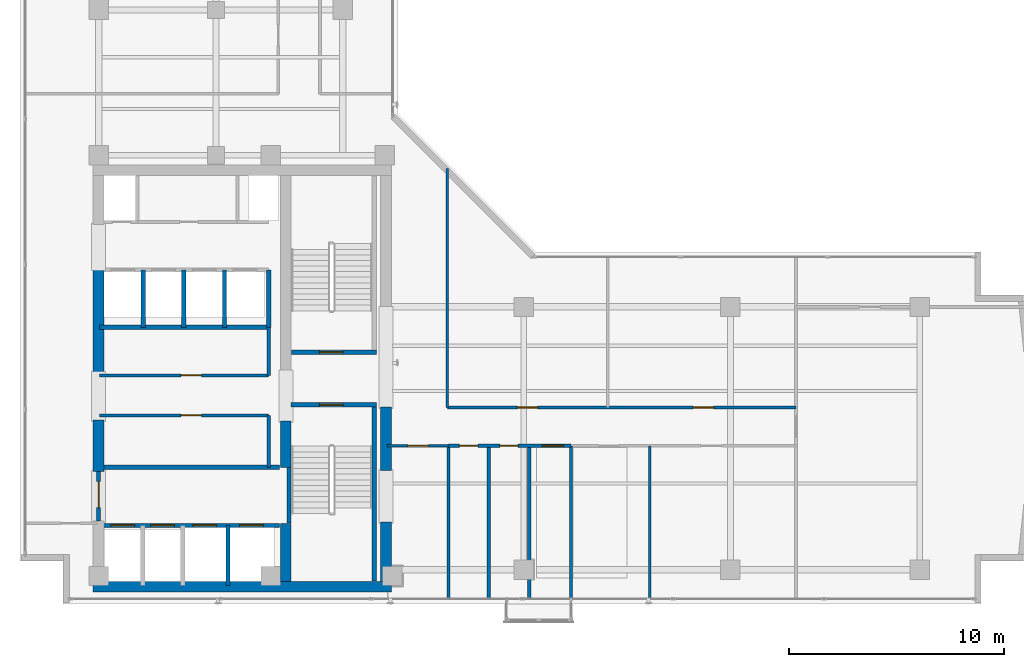
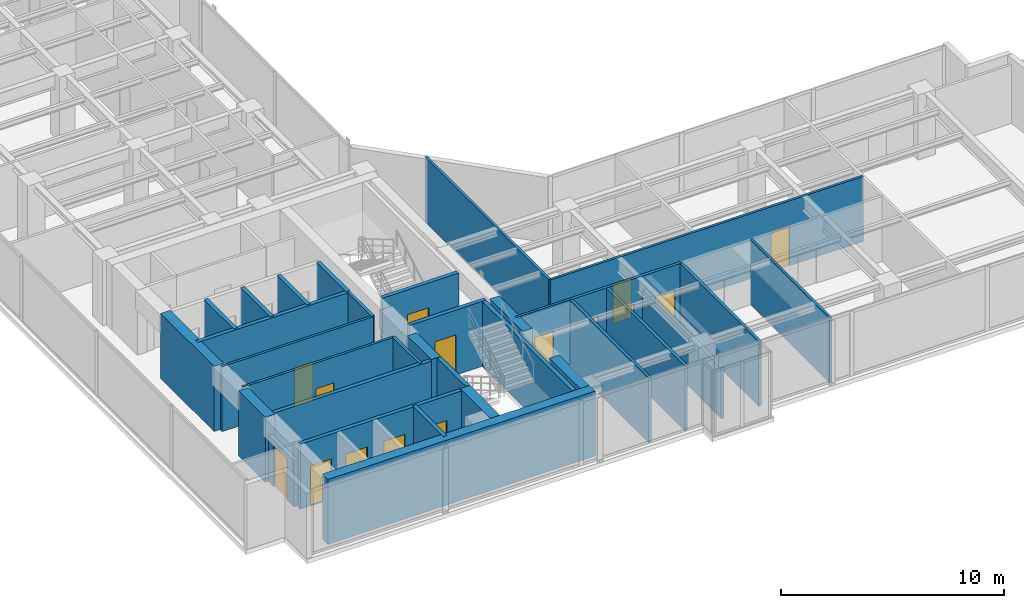
# One storey, part 17 of 22: 33 walls, 15 doors, 15 openings.
"""IFC4 building model written with IfcOpenShell, lengths in metres."""

from ifc_helpers import new_model, si_unit, direction, frame, frame_2d, origin, place, context, subcontext, project, spatial, rectangle, extrude, material, layer, layer_set, type_object, element, fill, save


model = new_model("IFC4")

# Units and contexts
model_context = context("Model", 3, precision=1e-05, world=origin(), true_north=direction((0.0, 1.0)))
body_context = subcontext(model_context, "Body", "Model", "MODEL_VIEW")
ifc_project = project(units=[si_unit("LENGTHUNIT", "METRE"), si_unit("AREAUNIT", "SQUARE_METRE"), si_unit("VOLUMEUNIT", "CUBIC_METRE"), si_unit("PLANEANGLEUNIT", "RADIAN"), si_unit("MASSUNIT", "GRAM", prefix="KILO")], contexts=[model_context])

# Site, building, storey
site_placement = place(None, origin())
site = spatial("IfcSite", under=ifc_project, at=site_placement, CompositionType="ELEMENT")
building_placement = place(site_placement, origin())
building = spatial("IfcBuilding", under=site, at=building_placement, Name="Kolvaren Waterfront Exchange", CompositionType="ELEMENT")
storey_placement = place(building_placement, frame((0.0, 0.0, 278.0)))
storey = spatial("IfcBuildingStorey", under=building, at=storey_placement, Name="L71", CompositionType="ELEMENT", Elevation=278.0)

# Wall, opening, door
ifc_material_1 = material(Name="Precast concrete C40/50", Category="concrete")
ifc_layer_1 = layer(ifc_material_1, 0.199951171875, Name="Precast concrete C40/50")
ifc_layer_set_1 = layer_set([ifc_layer_1], Name="Precast concrete C40/50")
wall_type_1 = type_object("IfcWallType", Name="ARC-FIRE-200", PredefinedType="PARTITIONING", material=ifc_layer_set_1)
wall_1_placement = place(storey_placement, frame((16.39990234375, 12.85009765625, 0.0), z_axis=(0.0, 0.0, 1.0), x_axis=(1.0, 0.0, 0.0)))
wall_1 = element("IfcWall", 1, at=wall_1_placement, inside=storey, type_object=wall_type_1, Name="L71 interior wall PW-L71-ST1-THROAT-S", PredefinedType="PARTITIONING", context=body_context, shape_type="SweptSolid", body=[
    extrude(rectangle(XDim=3.960205078125, YDim=0.199951171875, at=frame_2d((1.97998046875, 0.0))), origin(), (0.0, 0.0, 1.0), 3.56005859375),
])
opening_1_placement = place(wall_1_placement, frame((1.3037109375, 0.0, 0.0)))
opening_1 = element("IfcOpeningElement", 2, at=opening_1_placement, cuts=wall_1, Name="Opening FD2", PredefinedType="OPENING", context=body_context, shape_type="SweptSolid", body=[
    extrude(rectangle(XDim=1.10009765625, YDim=2.199951171875, at=frame_2d((0.550048828125, 1.10009765625))), frame((0.0, 0.10986328125, 0.0), z_axis=(0.0, -1.0, 0.0), x_axis=(1.0, 0.0, 0.0)), (0.0, 0.0, 1.0), 0.219970703125),
])
ifc_material_2 = material(Name="Pressed steel smoke-seal fire door", Category="steel")
door_type_1 = type_object("IfcDoorType", Name="ARC-FD-1100", OperationType="NOTDEFINED", PredefinedType="DOOR", material=ifc_material_2)
door_1_placement = place(opening_1_placement, frame((1.10009765625, 0.0, 0.0), z_axis=(0.0, 0.0, 1.0), x_axis=(-1.0, 0.0, 0.0)))
door_1 = element("IfcDoor", 3, at=door_1_placement, inside=storey, type_object=door_type_1, Name="L71 door DR-L71-ST1-IN (FD2)", OperationType="SINGLE_SWING_LEFT", OverallHeight=2.199951171875, OverallWidth=1.10009765625, PredefinedType="DOOR", context=body_context, shape_type="SweptSolid", body=[
    extrude(rectangle(XDim=1.10009765625, YDim=2.199951171875, at=frame_2d((0.550048828125, 1.10009765625))), frame((0.0, 0.02490234375, 0.0), z_axis=(0.0, -1.0, 0.0), x_axis=(1.0, 0.0, 0.0)), (0.0, 0.0, 1.0), 0.050048828125),
])
fill(opening_1, door_1)

wall_2_placement = place(storey_placement, frame((16.409912109375, 15.300048828125, 0.0), z_axis=(0.0, 0.0, 1.0), x_axis=(1.0, 0.0, 0.0)))
wall_2 = element("IfcWall", 4, at=wall_2_placement, inside=storey, type_object=wall_type_1, Name="L71 interior wall PW-L71-ST2-THROAT-N", PredefinedType="PARTITIONING", context=body_context, shape_type="SweptSolid", body=[
    extrude(rectangle(XDim=3.9501953125, YDim=0.199951171875, at=frame_2d((1.97509765625, 0.0))), origin(), (0.0, 0.0, 1.0), 3.56005859375),
])
opening_2_placement = place(wall_2_placement, frame((1.293701171875, 0.0, 0.0)))
opening_2 = element("IfcOpeningElement", 5, at=opening_2_placement, cuts=wall_2, Name="Opening FD2", PredefinedType="OPENING", context=body_context, shape_type="SweptSolid", body=[
    extrude(rectangle(XDim=1.10009765625, YDim=2.199951171875, at=frame_2d((0.550048828125, 1.10009765625))), frame((0.0, 0.10986328125, 0.0), z_axis=(0.0, -1.0, 0.0), x_axis=(1.0, 0.0, 0.0)), (0.0, 0.0, 1.0), 0.219970703125),
])
door_2_placement = place(opening_2_placement, origin())
door_2 = element("IfcDoor", 6, at=door_2_placement, inside=storey, type_object=door_type_1, Name="L71 door DR-L71-ST2-IN (FD2)", OperationType="SINGLE_SWING_RIGHT", OverallHeight=2.199951171875, OverallWidth=1.10009765625, PredefinedType="DOOR", context=body_context, shape_type="SweptSolid", body=[
    extrude(rectangle(XDim=1.10009765625, YDim=2.199951171875, at=frame_2d((0.550048828125, 1.10009765625))), frame((0.0, 0.02490234375, 0.0), z_axis=(0.0, -1.0, 0.0), x_axis=(1.0, 0.0, 0.0)), (0.0, 0.0, 1.0), 0.050048828125),
])
fill(opening_2, door_2)

# Wall
wall_3_placement = place(storey_placement, frame((7.5, 9.949951171875, 0.0), z_axis=(0.0, 0.0, 1.0), x_axis=(1.0, 0.0, 0.0)))
element("IfcWall", 7, at=wall_3_placement, inside=storey, type_object=wall_type_1, Name="L71 interior wall PW-L71-FF-N", PredefinedType="PARTITIONING", context=body_context, shape_type="SweptSolid", body=[
    extrude(rectangle(XDim=8.35009765625, YDim=0.199951171875, at=frame_2d((4.175048828125, 0.0))), origin(), (0.0, 0.0, 1.0), 3.56005859375),
])

# Wall, opening, door
wall_4_placement = place(storey_placement, frame((7.449951171875, 7.449951171875, 0.0), z_axis=(0.0, 0.0, 1.0), x_axis=(0.0, 1.0, 0.0)))
wall_4 = element("IfcWall", 8, at=wall_4_placement, inside=storey, type_object=wall_type_1, Name="L71 interior wall PW-L71-FF-W-DOOR", PredefinedType="PARTITIONING", context=body_context, shape_type="SweptSolid", body=[
    extrude(rectangle(XDim=2.300048828125, YDim=0.199951171875, at=frame_2d((1.14990234375, 0.0))), origin(), (0.0, 0.0, 1.0), 2.5400390625),
])
opening_3_placement = place(wall_4_placement, frame((0.63330078125, 0.0, 0.0)))
opening_3 = element("IfcOpeningElement", 9, at=opening_3_placement, cuts=wall_4, Name="Opening FD3", PredefinedType="OPENING", context=body_context, shape_type="SweptSolid", body=[
    extrude(rectangle(XDim=1.199951171875, YDim=2.25, at=frame_2d((0.60009765625, 1.125))), frame((0.0, 0.10986328125, 0.0), z_axis=(0.0, -1.0, 0.0), x_axis=(1.0, 0.0, 0.0)), (0.0, 0.0, 1.0), 0.219970703125),
])
ifc_material_3 = material(Name="Pressed steel fire door", Category="steel")
door_type_2 = type_object("IfcDoorType", Name="ARC-FD-1200", OperationType="NOTDEFINED", PredefinedType="DOOR", material=ifc_material_3)
door_3_placement = place(opening_3_placement, frame((1.199951171875, 0.0, 0.0), z_axis=(0.0, 0.0, 1.0), x_axis=(-1.0, 0.0, 0.0)))
door_3 = element("IfcDoor", 10, at=door_3_placement, inside=storey, type_object=door_type_2, Name="L71 door DR-L71-FF-OUT (FD3)", OperationType="SINGLE_SWING_LEFT", OverallHeight=2.25, OverallWidth=1.199951171875, PredefinedType="DOOR", context=body_context, shape_type="SweptSolid", body=[
    extrude(rectangle(XDim=1.199951171875, YDim=2.25, at=frame_2d((0.60009765625, 1.125))), frame((0.0, 0.02490234375, 0.0), z_axis=(0.0, -1.0, 0.0), x_axis=(1.0, 0.0, 0.0)), (0.0, 0.0, 1.0), 0.050048828125),
])
fill(opening_3, door_3)

ifc_material_4 = material(Name="Acoustic gypsum steel stud", Category="steel")
ifc_layer_2 = layer(ifc_material_4, 0.125, Name="Acoustic gypsum steel stud")
ifc_layer_set_2 = layer_set([ifc_layer_2], Name="Acoustic gypsum steel stud")
wall_type_2 = type_object("IfcWallType", Name="ARC-PART-125", PredefinedType="PARTITIONING", material=ifc_layer_set_2)
wall_5_placement = place(storey_placement, frame((7.5, 12.360107421875, 0.0), z_axis=(0.0, 0.0, 1.0), x_axis=(1.0, 0.0, 0.0)))
wall_5 = element("IfcWall", 11, at=wall_5_placement, inside=storey, type_object=wall_type_2, Name="L71 interior wall PW-L71-REC-HI-S", PredefinedType="PARTITIONING", context=body_context, shape_type="SweptSolid", body=[
    extrude(rectangle(XDim=7.85009765625, YDim=0.125, at=frame_2d((3.925048828125, 0.0))), origin(), (0.0, 0.0, 1.0), 3.56005859375),
])
opening_4_placement = place(wall_5_placement, frame((3.77490234375, 0.0, 0.0)))
opening_4 = element("IfcOpeningElement", 12, at=opening_4_placement, cuts=wall_5, Name="Opening D02", PredefinedType="OPENING", context=body_context, shape_type="SweptSolid", body=[
    extrude(rectangle(XDim=0.949951171875, YDim=2.14990234375, at=frame_2d((0.47509765625, 1.074951171875))), frame((0.0, 0.072509765625, 0.0), z_axis=(0.0, -1.0, 0.0), x_axis=(1.0, 0.0, 0.0)), (0.0, 0.0, 1.0), 0.14501953125),
])
ifc_material_5 = material(Name="Oak veneer acoustic timber", Category="wood")
door_type_3 = type_object("IfcDoorType", Name="ARC-DR-950", OperationType="NOTDEFINED", PredefinedType="DOOR", material=ifc_material_5)
door_4_placement = place(opening_4_placement, origin())
door_4 = element("IfcDoor", 13, at=door_4_placement, inside=storey, type_object=door_type_3, Name="L71 door DR-L71-REC-HI-D1 (D02)", OperationType="SINGLE_SWING_RIGHT", OverallHeight=2.14990234375, OverallWidth=0.949951171875, PredefinedType="DOOR", context=body_context, shape_type="SweptSolid", body=[
    extrude(rectangle(XDim=0.949951171875, YDim=2.14990234375, at=frame_2d((0.47509765625, 1.074951171875))), frame((0.0, 0.02490234375, 0.0), z_axis=(0.0, -1.0, 0.0), x_axis=(1.0, 0.0, 0.0)), (0.0, 0.0, 1.0), 0.050048828125),
])
fill(opening_4, door_4)

wall_6_placement = place(storey_placement, frame((7.5, 14.219970703125, 0.0), z_axis=(0.0, 0.0, 1.0), x_axis=(1.0, 0.0, 0.0)))
wall_6 = element("IfcWall", 14, at=wall_6_placement, inside=storey, type_object=wall_type_2, Name="L71 interior wall PW-L71-REC-HI-N", PredefinedType="PARTITIONING", context=body_context, shape_type="SweptSolid", body=[
    extrude(rectangle(XDim=7.85009765625, YDim=0.125, at=frame_2d((3.925048828125, 0.0))), origin(), (0.0, 0.0, 1.0), 3.56005859375),
])
opening_5_placement = place(wall_6_placement, frame((3.77490234375, 0.0, 0.0)))
opening_5 = element("IfcOpeningElement", 15, at=opening_5_placement, cuts=wall_6, Name="Opening D02", PredefinedType="OPENING", context=body_context, shape_type="SweptSolid", body=[
    extrude(rectangle(XDim=0.949951171875, YDim=2.14990234375, at=frame_2d((0.47509765625, 1.074951171875))), frame((0.0, 0.072509765625, 0.0), z_axis=(0.0, -1.0, 0.0), x_axis=(1.0, 0.0, 0.0)), (0.0, 0.0, 1.0), 0.14501953125),
])
door_5_placement = place(opening_5_placement, origin())
door_5 = element("IfcDoor", 16, at=door_5_placement, inside=storey, type_object=door_type_3, Name="L71 door DR-L71-REC-HI-D2 (D02)", OperationType="SINGLE_SWING_LEFT", OverallHeight=2.14990234375, OverallWidth=0.949951171875, PredefinedType="DOOR", context=body_context, shape_type="SweptSolid", body=[
    extrude(rectangle(XDim=0.949951171875, YDim=2.14990234375, at=frame_2d((0.47509765625, 1.074951171875))), frame((0.0, 0.02490234375, 0.0), z_axis=(0.0, -1.0, 0.0), x_axis=(1.0, 0.0, 0.0)), (0.0, 0.0, 1.0), 0.050048828125),
])
fill(opening_5, door_5)

wall_7_placement = place(storey_placement, frame((20.85009765625, 10.949951171875, 0.0), z_axis=(0.0, 0.0, 1.0), x_axis=(1.0, 0.0, 0.0)))
wall_7 = element("IfcWall", 17, at=wall_7_placement, inside=storey, type_object=wall_type_2, Name="L71 interior wall PW-L71-SWST3-N", PredefinedType="PARTITIONING", context=body_context, shape_type="SweptSolid", body=[
    extrude(rectangle(XDim=2.849853515625, YDim=0.125, at=frame_2d((1.4248046875, 0.0))), origin(), (0.0, 0.0, 1.0), 3.56005859375),
])
opening_6_placement = place(wall_7_placement, frame((0.971435546875, 0.0, 0.0)))
opening_6 = element("IfcOpeningElement", 18, at=opening_6_placement, cuts=wall_7, Name="Opening D02", PredefinedType="OPENING", context=body_context, shape_type="SweptSolid", body=[
    extrude(rectangle(XDim=0.949951171875, YDim=2.14990234375, at=frame_2d((0.47509765625, 1.074951171875))), frame((0.0, 0.072509765625, 0.0), z_axis=(0.0, -1.0, 0.0), x_axis=(1.0, 0.0, 0.0)), (0.0, 0.0, 1.0), 0.14501953125),
])
door_6_placement = place(opening_6_placement, origin())
door_6 = element("IfcDoor", 19, at=door_6_placement, inside=storey, type_object=door_type_3, Name="L71 door DR-L71-SWST3-D (D02)", OperationType="SINGLE_SWING_RIGHT", OverallHeight=2.14990234375, OverallWidth=0.949951171875, PredefinedType="DOOR", context=body_context, shape_type="SweptSolid", body=[
    extrude(rectangle(XDim=0.949951171875, YDim=2.14990234375, at=frame_2d((0.47509765625, 1.074951171875))), frame((0.0, 0.02490234375, 0.0), z_axis=(0.0, -1.0, 0.0), x_axis=(1.0, 0.0, 0.0)), (0.0, 0.0, 1.0), 0.050048828125),
])
fill(opening_6, door_6)

# Walls
wall_8_placement = place(storey_placement, frame((33.06005859375, 3.840087890625, 0.0), z_axis=(0.0, 0.0, 1.0), x_axis=(0.0, 1.0, 0.0)))
element("IfcWall", 20, at=wall_8_placement, inside=storey, type_object=wall_type_2, Name="L71 interior wall PW-L71-ES-DIV-1", PredefinedType="PARTITIONING", context=body_context, shape_type="SweptSolid", body=[
    extrude(rectangle(XDim=7.10986328125, YDim=0.125, at=frame_2d((3.554931640625, 0.0))), origin(), (0.0, 0.0, 1.0), 3.56005859375),
])
wall_9_placement = place(storey_placement, frame((23.64990234375, 12.72998046875, 0.0), z_axis=(0.0, 0.0, 1.0), x_axis=(0.0, 1.0, 0.0)))
element("IfcWall", 21, at=wall_9_placement, inside=storey, type_object=wall_type_2, Name="L71 interior wall PW-L71-EN-W0", PredefinedType="PARTITIONING", context=body_context, shape_type="SweptSolid", body=[
    extrude(rectangle(XDim=11.095703125, YDim=0.125, at=frame_2d((5.5478515625, 0.0))), origin(), (0.0, 0.0, 1.0), 3.56005859375),
])

# Wall, openings, doors
wall_10_placement = place(storey_placement, frame((23.64990234375, 12.72998046875, 0.0), z_axis=(0.0, 0.0, 1.0), x_axis=(1.0, 0.0, 0.0)))
wall_10 = element("IfcWall", 22, at=wall_10_placement, inside=storey, type_object=wall_type_2, Name="L71 interior wall PW-L71-EN-CORR", PredefinedType="PARTITIONING", context=body_context, shape_type="SweptSolid", body=[
    extrude(rectangle(XDim=16.2001953125, YDim=0.125, at=frame_2d((8.10009765625, 0.0))), origin(), (0.0, 0.0, 1.0), 3.56005859375),
])
opening_7_placement = place(wall_10_placement, frame((3.25, 0.0, 0.0)))
opening_7 = element("IfcOpeningElement", 23, at=opening_7_placement, cuts=wall_10, Name="Opening D02", PredefinedType="OPENING", context=body_context, shape_type="SweptSolid", body=[
    extrude(rectangle(XDim=0.949951171875, YDim=2.14990234375, at=frame_2d((0.47509765625, 1.074951171875))), frame((0.0, 0.072509765625, 0.0), z_axis=(0.0, -1.0, 0.0), x_axis=(1.0, 0.0, 0.0)), (0.0, 0.0, 1.0), 0.14501953125),
])
opening_8_placement = place(wall_10_placement, frame((11.42138671875, 0.0, 0.0)))
opening_8 = element("IfcOpeningElement", 24, at=opening_8_placement, cuts=wall_10, Name="Opening D02", PredefinedType="OPENING", context=body_context, shape_type="SweptSolid", body=[
    extrude(rectangle(XDim=0.949951171875, YDim=2.14990234375, at=frame_2d((0.47509765625, 1.074951171875))), frame((0.0, 0.072509765625, 0.0), z_axis=(0.0, -1.0, 0.0), x_axis=(1.0, 0.0, 0.0)), (0.0, 0.0, 1.0), 0.14501953125),
])
door_7_placement = place(opening_7_placement, origin())
door_7 = element("IfcDoor", 25, at=door_7_placement, inside=storey, type_object=door_type_3, Name="L71 door DR-L71-EN-D-1 (D02)", OperationType="SINGLE_SWING_LEFT", OverallHeight=2.14990234375, OverallWidth=0.949951171875, PredefinedType="DOOR", context=body_context, shape_type="SweptSolid", body=[
    extrude(rectangle(XDim=0.949951171875, YDim=2.14990234375, at=frame_2d((0.47509765625, 1.074951171875))), frame((0.0, 0.02490234375, 0.0), z_axis=(0.0, -1.0, 0.0), x_axis=(1.0, 0.0, 0.0)), (0.0, 0.0, 1.0), 0.050048828125),
])
fill(opening_7, door_7)
door_8_placement = place(opening_8_placement, origin())
door_8 = element("IfcDoor", 26, at=door_8_placement, inside=storey, type_object=door_type_3, Name="L71 door DR-L71-EN-D-2 (D02)", OperationType="SINGLE_SWING_RIGHT", OverallHeight=2.14990234375, OverallWidth=0.949951171875, PredefinedType="DOOR", context=body_context, shape_type="SweptSolid", body=[
    extrude(rectangle(XDim=0.949951171875, YDim=2.14990234375, at=frame_2d((0.47509765625, 1.074951171875))), frame((0.0, 0.02490234375, 0.0), z_axis=(0.0, -1.0, 0.0), x_axis=(1.0, 0.0, 0.0)), (0.0, 0.0, 1.0), 0.050048828125),
])
fill(opening_8, door_8)

# Walls
ifc_material_6 = material(Name="Gypsum fireboard steel stud", Category="steel")
ifc_layer_3 = layer(ifc_material_6, 0.14990234375, Name="Gypsum fireboard steel stud")
ifc_layer_set_3 = layer_set([ifc_layer_3], Name="Gypsum fireboard steel stud")
wall_type_3 = type_object("IfcWallType", Name="ARC-PART-150", PredefinedType="PARTITIONING", material=ifc_layer_set_3)
wall_11_placement = place(storey_placement, frame((15.35009765625, 9.949951171875, 0.0), z_axis=(0.0, 0.0, 1.0), x_axis=(0.0, 1.0, 0.0)))
element("IfcWall", 27, at=wall_11_placement, inside=storey, type_object=wall_type_3, Name="L71 interior wall PW-L71-REC-HI-E1", PredefinedType="PARTITIONING", context=body_context, shape_type="SweptSolid", body=[
    extrude(rectangle(XDim=2.41015625, YDim=0.14990234375, at=frame_2d((1.205078125, 0.0))), origin(), (0.0, 0.0, 1.0), 3.56005859375),
])
wall_12_placement = place(storey_placement, frame((15.35009765625, 14.219970703125, 0.0), z_axis=(0.0, 0.0, 1.0), x_axis=(0.0, 1.0, 0.0)))
element("IfcWall", 28, at=wall_12_placement, inside=storey, type_object=wall_type_3, Name="L71 interior wall PW-L71-REC-HI-E2", PredefinedType="PARTITIONING", context=body_context, shape_type="SweptSolid", body=[
    extrude(rectangle(XDim=2.22998046875, YDim=0.14990234375, at=frame_2d((1.114990234375, 0.0))), origin(), (0.0, 0.0, 1.0), 3.56005859375),
])
ifc_material_7 = material(Name="Moisture-resistant gypsum stud")
ifc_layer_4 = layer(ifc_material_7, 0.14990234375, Name="Moisture-resistant gypsum stud")
ifc_layer_set_4 = layer_set([ifc_layer_4], Name="Moisture-resistant gypsum stud")
wall_type_4 = type_object("IfcWallType", Name="ARC-PLUMB-150", PredefinedType="PLUMBINGWALL", material=ifc_layer_set_4)
wall_13_placement = place(storey_placement, frame((23.699951171875, 3.840087890625, 0.0), z_axis=(0.0, 0.0, 1.0), x_axis=(0.0, 1.0, 0.0)))
element("IfcWall", 29, at=wall_13_placement, inside=storey, type_object=wall_type_4, Name="L71 interior wall PW-L71-WC-0", PredefinedType="PLUMBINGWALL", context=body_context, shape_type="SweptSolid", body=[
    extrude(rectangle(XDim=7.10986328125, YDim=0.14990234375, at=frame_2d((3.554931640625, 0.0))), origin(), (0.0, 0.0, 1.0), 3.56005859375),
])

# Wall, openings, doors
wall_14_placement = place(storey_placement, frame((23.699951171875, 10.949951171875, 0.0), z_axis=(0.0, 0.0, 1.0), x_axis=(1.0, 0.0, 0.0)))
wall_14 = element("IfcWall", 30, at=wall_14_placement, inside=storey, type_object=wall_type_4, Name="L71 interior wall PW-L71-WC-N", PredefinedType="PLUMBINGWALL", context=body_context, shape_type="SweptSolid", body=[
    extrude(rectangle(XDim=5.699951171875, YDim=0.14990234375, at=frame_2d((2.85009765625, 0.0))), origin(), (0.0, 0.0, 1.0), 3.56005859375),
])
opening_9_placement = place(wall_14_placement, frame((0.514892578125, 0.0, 0.0)))
opening_9 = element("IfcOpeningElement", 31, at=opening_9_placement, cuts=wall_14, Name="Opening D01", PredefinedType="OPENING", context=body_context, shape_type="SweptSolid", body=[
    extrude(rectangle(XDim=0.85009765625, YDim=2.14990234375, at=frame_2d((0.425048828125, 1.074951171875))), frame((0.0, 0.0849609375, 0.0), z_axis=(0.0, -1.0, 0.0), x_axis=(1.0, 0.0, 0.0)), (0.0, 0.0, 1.0), 0.169921875),
])
opening_10_placement = place(wall_14_placement, frame((2.39501953125, 0.0, 0.0)))
opening_10 = element("IfcOpeningElement", 32, at=opening_10_placement, cuts=wall_14, Name="Opening D01", PredefinedType="OPENING", context=body_context, shape_type="SweptSolid", body=[
    extrude(rectangle(XDim=0.85009765625, YDim=2.14990234375, at=frame_2d((0.425048828125, 1.074951171875))), frame((0.0, 0.0849609375, 0.0), z_axis=(0.0, -1.0, 0.0), x_axis=(1.0, 0.0, 0.0)), (0.0, 0.0, 1.0), 0.169921875),
])
opening_11_placement = place(wall_14_placement, frame((4.35009765625, 0.0, 0.0)))
opening_11 = element("IfcOpeningElement", 33, at=opening_11_placement, cuts=wall_14, Name="Opening D03", PredefinedType="OPENING", context=body_context, shape_type="SweptSolid", body=[
    extrude(rectangle(XDim=1.0, YDim=2.199951171875, at=frame_2d((0.5, 1.10009765625))), frame((0.0, 0.0849609375, 0.0), z_axis=(0.0, -1.0, 0.0), x_axis=(1.0, 0.0, 0.0)), (0.0, 0.0, 1.0), 0.169921875),
])
ifc_material_8 = material(Name="Oak veneer accessible timber", Category="wood")
door_type_4 = type_object("IfcDoorType", Name="ARC-DR-1000", OperationType="NOTDEFINED", PredefinedType="DOOR", material=ifc_material_8)
door_9_placement = place(opening_11_placement, origin())
door_9 = element("IfcDoor", 34, at=door_9_placement, inside=storey, type_object=door_type_4, Name="L71 door DR-L71-WCA-D (D03)", OperationType="SINGLE_SWING_RIGHT", OverallHeight=2.199951171875, OverallWidth=1.0, PredefinedType="DOOR", context=body_context, shape_type="SweptSolid", body=[
    extrude(rectangle(XDim=1.0, YDim=2.199951171875, at=frame_2d((0.5, 1.10009765625))), frame((0.0, 0.02490234375, 0.0), z_axis=(0.0, -1.0, 0.0), x_axis=(1.0, 0.0, 0.0)), (0.0, 0.0, 1.0), 0.050048828125),
])
fill(opening_11, door_9)
ifc_material_9 = material(Name="Oak veneer timber leaf", Category="wood")
door_type_5 = type_object("IfcDoorType", Name="ARC-DR-900", OperationType="NOTDEFINED", PredefinedType="DOOR", material=ifc_material_9)
door_10_placement = place(opening_9_placement, origin())
door_10 = element("IfcDoor", 35, at=door_10_placement, inside=storey, type_object=door_type_5, Name="L71 door DR-L71-WCM-D (D01)", OperationType="SINGLE_SWING_RIGHT", OverallHeight=2.14990234375, OverallWidth=0.85009765625, PredefinedType="DOOR", context=body_context, shape_type="SweptSolid", body=[
    extrude(rectangle(XDim=0.85009765625, YDim=2.14990234375, at=frame_2d((0.425048828125, 1.074951171875))), frame((0.0, 0.02490234375, 0.0), z_axis=(0.0, -1.0, 0.0), x_axis=(1.0, 0.0, 0.0)), (0.0, 0.0, 1.0), 0.050048828125),
])
fill(opening_9, door_10)
door_11_placement = place(opening_10_placement, origin())
door_11 = element("IfcDoor", 36, at=door_11_placement, inside=storey, type_object=door_type_5, Name="L71 door DR-L71-WCF-D (D01)", OperationType="SINGLE_SWING_LEFT", OverallHeight=2.14990234375, OverallWidth=0.85009765625, PredefinedType="DOOR", context=body_context, shape_type="SweptSolid", body=[
    extrude(rectangle(XDim=0.85009765625, YDim=2.14990234375, at=frame_2d((0.425048828125, 1.074951171875))), frame((0.0, 0.02490234375, 0.0), z_axis=(0.0, -1.0, 0.0), x_axis=(1.0, 0.0, 0.0)), (0.0, 0.0, 1.0), 0.050048828125),
])
fill(opening_10, door_11)

# Walls
wall_15_placement = place(storey_placement, frame((25.580078125, 3.840087890625, 0.0), z_axis=(0.0, 0.0, 1.0), x_axis=(0.0, 1.0, 0.0)))
element("IfcWall", 37, at=wall_15_placement, inside=storey, type_object=wall_type_4, Name="L71 interior wall PW-L71-WC-1", PredefinedType="PLUMBINGWALL", context=body_context, shape_type="SweptSolid", body=[
    extrude(rectangle(XDim=7.10986328125, YDim=0.14990234375, at=frame_2d((3.554931640625, 0.0))), origin(), (0.0, 0.0, 1.0), 3.56005859375),
])
wall_16_placement = place(storey_placement, frame((27.4599609375, 3.840087890625, 0.0), z_axis=(0.0, 0.0, 1.0), x_axis=(0.0, 1.0, 0.0)))
element("IfcWall", 38, at=wall_16_placement, inside=storey, type_object=wall_type_4, Name="L71 interior wall PW-L71-WC-2", PredefinedType="PLUMBINGWALL", context=body_context, shape_type="SweptSolid", body=[
    extrude(rectangle(XDim=7.10986328125, YDim=0.14990234375, at=frame_2d((3.554931640625, 0.0))), origin(), (0.0, 0.0, 1.0), 2.798095703125),
])
wall_17_placement = place(storey_placement, frame((29.39990234375, 3.840087890625, 0.0), z_axis=(0.0, 0.0, 1.0), x_axis=(0.0, 1.0, 0.0)))
element("IfcWall", 39, at=wall_17_placement, inside=storey, type_object=wall_type_4, Name="L71 interior wall PW-L71-WC-3", PredefinedType="PLUMBINGWALL", context=body_context, shape_type="SweptSolid", body=[
    extrude(rectangle(XDim=7.10986328125, YDim=0.14990234375, at=frame_2d((3.554931640625, 0.0))), origin(), (0.0, 0.0, 1.0), 3.56005859375),
])
ifc_material_10 = material(Name="Concrete C40/50", Category="concrete")
ifc_layer_5 = layer(ifc_material_10, 0.199951171875, Name="Concrete C40/50")
ifc_layer_set_5 = layer_set([ifc_layer_5], Name="Concrete C40/50")
wall_type_5 = type_object("IfcWallType", Name="ARC-SHAFT-200", PredefinedType="PARTITIONING", material=ifc_layer_set_5)
wall_18_placement = place(storey_placement, frame((16.300048828125, 7.360107421875, 0.0), z_axis=(0.0, 0.0, 1.0), x_axis=(0.0, 1.0, 0.0)))
element("IfcWall", 40, at=wall_18_placement, inside=storey, type_object=wall_type_5, Name="L71 structural stairwell wall PW-L71-ST1-W", PredefinedType="SHEAR", context=body_context, shape_type="SweptSolid", body=[
    extrude(rectangle(XDim=2.579833984375, YDim=0.199951171875, at=frame_2d((1.2900390625, 0.0))), origin(), (0.0, 0.0, 1.0), 3.56005859375),
])
wall_19_placement = place(storey_placement, frame((20.260009765625, 4.659912109375, 0.0), z_axis=(0.0, 0.0, 1.0), x_axis=(0.0, 1.0, 0.0)))
element("IfcWall", 41, at=wall_19_placement, inside=storey, type_object=wall_type_5, Name="L71 structural stairwell wall PW-L71-ST1-E", PredefinedType="SHEAR", context=body_context, shape_type="SweptSolid", body=[
    extrude(rectangle(XDim=8.090087890625, YDim=0.199951171875, at=frame_2d((4.044921875, 0.0))), origin(), (0.0, 0.0, 1.0), 3.56005859375),
])

# Wall, openings, doors
wall_20_placement = place(storey_placement, frame((7.5, 7.25, 0.0), z_axis=(0.0, 0.0, 1.0), x_axis=(1.0, 0.0, 0.0)))
wall_20 = element("IfcWall", 42, at=wall_20_placement, inside=storey, type_object=wall_type_5, Name="L71 interior wall PW-L71-FF-S", PredefinedType="PARTITIONING", context=body_context, shape_type="SweptSolid", body=[
    extrude(rectangle(XDim=8.35009765625, YDim=0.199951171875, at=frame_2d((4.175048828125, 0.0))), origin(), (0.0, 0.0, 1.0), 3.56005859375),
])
opening_12_placement = place(wall_20_placement, frame((0.530029296875, 0.0, 0.0)))
opening_12 = element("IfcOpeningElement", 43, at=opening_12_placement, cuts=wall_20, Name="Opening LD1", PredefinedType="OPENING", context=body_context, shape_type="SweptSolid", body=[
    extrude(rectangle(XDim=1.10009765625, YDim=2.199951171875, at=frame_2d((0.550048828125, 1.10009765625))), frame((0.0, 0.10986328125, 0.0), z_axis=(0.0, -1.0, 0.0), x_axis=(1.0, 0.0, 0.0)), (0.0, 0.0, 1.0), 0.219970703125),
])
opening_13_placement = place(wall_20_placement, frame((2.3701171875, 0.0, 0.0)))
opening_13 = element("IfcOpeningElement", 44, at=opening_13_placement, cuts=wall_20, Name="Opening LD1", PredefinedType="OPENING", context=body_context, shape_type="SweptSolid", body=[
    extrude(rectangle(XDim=1.10009765625, YDim=2.199951171875, at=frame_2d((0.550048828125, 1.10009765625))), frame((0.0, 0.10986328125, 0.0), z_axis=(0.0, -1.0, 0.0), x_axis=(1.0, 0.0, 0.0)), (0.0, 0.0, 1.0), 0.219970703125),
])
opening_14_placement = place(wall_20_placement, frame((4.330078125, 0.0, 0.0)))
opening_14 = element("IfcOpeningElement", 45, at=opening_14_placement, cuts=wall_20, Name="Opening LD1", PredefinedType="OPENING", context=body_context, shape_type="SweptSolid", body=[
    extrude(rectangle(XDim=1.10009765625, YDim=2.199951171875, at=frame_2d((0.550048828125, 1.10009765625))), frame((0.0, 0.10986328125, 0.0), z_axis=(0.0, -1.0, 0.0), x_axis=(1.0, 0.0, 0.0)), (0.0, 0.0, 1.0), 0.219970703125),
])
opening_15_placement = place(wall_20_placement, frame((6.5, 0.0, 0.0)))
opening_15 = element("IfcOpeningElement", 46, at=opening_15_placement, cuts=wall_20, Name="Opening LD1", PredefinedType="OPENING", context=body_context, shape_type="SweptSolid", body=[
    extrude(rectangle(XDim=1.10009765625, YDim=2.199951171875, at=frame_2d((0.550048828125, 1.10009765625))), frame((0.0, 0.10986328125, 0.0), z_axis=(0.0, -1.0, 0.0), x_axis=(1.0, 0.0, 0.0)), (0.0, 0.0, 1.0), 0.219970703125),
])
ifc_material_11 = material(Name="Stainless steel sliding landing door", Category="steel")
door_type_6 = type_object("IfcDoorType", Name="ARC-LD-FF", OperationType="SLIDING_TO_LEFT", PredefinedType="DOOR", material=ifc_material_11)
door_12_placement = place(opening_12_placement, origin())
door_12 = element("IfcDoor", 47, at=door_12_placement, inside=storey, type_object=door_type_6, Name="L71 door LD-L71-FFL1 (LD1)", OperationType="SLIDING_TO_LEFT", OverallHeight=2.199951171875, OverallWidth=1.10009765625, PredefinedType="DOOR", context=body_context, shape_type="SweptSolid", body=[
    extrude(rectangle(XDim=1.10009765625, YDim=2.199951171875, at=frame_2d((0.550048828125, 1.10009765625))), frame((0.0, 0.02490234375, 0.0), z_axis=(0.0, -1.0, 0.0), x_axis=(1.0, 0.0, 0.0)), (0.0, 0.0, 1.0), 0.050048828125),
])
fill(opening_12, door_12)
door_13_placement = place(opening_13_placement, origin())
door_13 = element("IfcDoor", 48, at=door_13_placement, inside=storey, type_object=door_type_6, Name="L71 door LD-L71-FFL2 (LD1)", OperationType="SLIDING_TO_LEFT", OverallHeight=2.199951171875, OverallWidth=1.10009765625, PredefinedType="DOOR", context=body_context, shape_type="SweptSolid", body=[
    extrude(rectangle(XDim=1.10009765625, YDim=2.199951171875, at=frame_2d((0.550048828125, 1.10009765625))), frame((0.0, 0.02490234375, 0.0), z_axis=(0.0, -1.0, 0.0), x_axis=(1.0, 0.0, 0.0)), (0.0, 0.0, 1.0), 0.050048828125),
])
fill(opening_13, door_13)
door_14_placement = place(opening_14_placement, origin())
door_14 = element("IfcDoor", 49, at=door_14_placement, inside=storey, type_object=door_type_6, Name="L71 door LD-L71-GL1 (LD1)", OperationType="SLIDING_TO_LEFT", OverallHeight=2.199951171875, OverallWidth=1.10009765625, PredefinedType="DOOR", context=body_context, shape_type="SweptSolid", body=[
    extrude(rectangle(XDim=1.10009765625, YDim=2.199951171875, at=frame_2d((0.550048828125, 1.10009765625))), frame((0.0, 0.02490234375, 0.0), z_axis=(0.0, -1.0, 0.0), x_axis=(1.0, 0.0, 0.0)), (0.0, 0.0, 1.0), 0.050048828125),
])
fill(opening_14, door_14)
door_15_placement = place(opening_15_placement, origin())
door_15 = element("IfcDoor", 50, at=door_15_placement, inside=storey, type_object=door_type_6, Name="L71 door LD-L71-GL2 (LD1)", OperationType="SLIDING_TO_LEFT", OverallHeight=2.199951171875, OverallWidth=1.10009765625, PredefinedType="DOOR", context=body_context, shape_type="SweptSolid", body=[
    extrude(rectangle(XDim=1.10009765625, YDim=2.199951171875, at=frame_2d((0.550048828125, 1.10009765625))), frame((0.0, 0.02490234375, 0.0), z_axis=(0.0, -1.0, 0.0), x_axis=(1.0, 0.0, 0.0)), (0.0, 0.0, 1.0), 0.050048828125),
])
fill(opening_15, door_15)

# Walls
wall_21_placement = place(storey_placement, frame((13.4599609375, 4.449951171875, 0.0), z_axis=(0.0, 0.0, 1.0), x_axis=(0.0, 1.0, 0.0)))
element("IfcWall", 51, at=wall_21_placement, inside=storey, type_object=wall_type_5, Name="L71 interior wall PW-L71-SH1-DIV-134", PredefinedType="PARTITIONING", context=body_context, shape_type="SweptSolid", body=[
    extrude(rectangle(XDim=2.800048828125, YDim=0.199951171875, at=frame_2d((1.39990234375, 0.0))), origin(), (0.0, 0.0, 1.0), 3.56005859375),
])
wall_22_placement = place(storey_placement, frame((7.5, 16.449951171875, 0.0), z_axis=(0.0, 0.0, 1.0), x_axis=(1.0, 0.0, 0.0)))
element("IfcWall", 52, at=wall_22_placement, inside=storey, type_object=wall_type_5, Name="L71 interior wall PW-L71-REC-PM-N", PredefinedType="PARTITIONING", context=body_context, shape_type="SweptSolid", body=[
    extrude(rectangle(XDim=7.85009765625, YDim=0.199951171875, at=frame_2d((3.925048828125, 0.0))), origin(), (0.0, 0.0, 1.0), 3.56005859375),
])
for number, where, z_axis, x_axis, name in (
    (53, (15.35009765625, 16.449951171875, 0.0), (0.0, 0.0, 1.0), (0.0, 1.0, 0.0), "L71 interior wall PW-L71-PH-E"),
    (54, (9.52001953125, 16.449951171875, 0.0), (0.0, 0.0, 1.0), (0.0, 1.0, 0.0), "L71 interior wall PW-L71-SH4-DIV-95"),
    (55, (11.409912109375, 16.449951171875, 0.0), (0.0, 0.0, 1.0), (0.0, 1.0, 0.0), "L71 interior wall PW-L71-SH4-DIV-114"),
    (56, (13.300048828125, 16.449951171875, 0.0), (0.0, 0.0, 1.0), (0.0, 1.0, 0.0), "L71 interior wall PW-L71-SH4-DIV-133"),
):
    element("IfcWall", number, at=place(storey_placement, frame(where, z_axis=z_axis, x_axis=x_axis)), inside=storey, type_object=wall_type_5, Name=name, PredefinedType="PARTITIONING", context=body_context, shape_type="SweptSolid", body=[
        extrude(rectangle(XDim=2.670166015625, YDim=0.199951171875, at=frame_2d((1.3349609375, 0.0))), origin(), (0.0, 0.0, 1.0), 3.56005859375),
    ])
ifc_material_12 = material(Name="Concrete C50/60", Category="concrete")
ifc_layer_6 = layer(ifc_material_12, 0.5, Name="Concrete C50/60")
ifc_layer_set_6 = layer_set([ifc_layer_6], Name="Concrete C50/60")
wall_type_6 = type_object("IfcWallType", Name="STR-CWALL-500", PredefinedType="SHEAR", material=ifc_layer_set_6)
wall_23_placement = place(storey_placement, frame((7.199951171875, 4.39990234375, 0.0), z_axis=(0.0, 0.0, 1.0), x_axis=(1.0, 0.0, 0.0)))
element("IfcWall", 57, at=wall_23_placement, inside=storey, type_object=wall_type_6, Name="L71 rear-core shear wall S", PredefinedType="SHEAR", context=body_context, shape_type="SweptSolid", body=[
    extrude(rectangle(XDim=13.85009765625, YDim=0.5, at=frame_2d((6.925048828125, 0.0))), origin(), (0.0, 0.0, 1.0), 3.56005859375),
])
wall_24_placement = place(storey_placement, frame((7.449951171875, 9.75, 0.0), z_axis=(0.0, 0.0, 1.0), x_axis=(0.0, 1.0, 0.0)))
element("IfcWall", 58, at=wall_24_placement, inside=storey, type_object=wall_type_6, Name="L71 rear-core shear wall W2A", PredefinedType="SHEAR", context=body_context, shape_type="SweptSolid", body=[
    extrude(rectangle(XDim=2.39990234375, YDim=0.5, at=frame_2d((1.199951171875, 0.0))), origin(), (0.0, 0.0, 1.0), 3.56005859375),
])
wall_25_placement = place(storey_placement, frame((7.449951171875, 14.35009765625, 0.0), z_axis=(0.0, 0.0, 1.0), x_axis=(0.0, 1.0, 0.0)))
element("IfcWall", 59, at=wall_25_placement, inside=storey, type_object=wall_type_6, Name="L71 rear-core shear wall W2B", PredefinedType="SHEAR", context=body_context, shape_type="SweptSolid", body=[
    extrude(rectangle(XDim=4.809814453125, YDim=0.5, at=frame_2d((2.40478515625, 0.0))), origin(), (0.0, 0.0, 1.0), 3.56005859375),
])
wall_26_placement = place(storey_placement, frame((20.800048828125, 4.64990234375, 0.0), z_axis=(0.0, 0.0, 1.0), x_axis=(0.0, 1.0, 0.0)))
element("IfcWall", 60, at=wall_26_placement, inside=storey, type_object=wall_type_6, Name="L71 rear-core shear wall E1", PredefinedType="SHEAR", context=body_context, shape_type="SweptSolid", body=[
    extrude(rectangle(XDim=2.75, YDim=0.5, at=frame_2d((1.375, 0.0))), origin(), (0.0, 0.0, 1.0), 3.56005859375),
])
wall_27_placement = place(storey_placement, frame((20.800048828125, 9.800048828125, 0.0), z_axis=(0.0, 0.0, 1.0), x_axis=(0.0, 1.0, 0.0)))
element("IfcWall", 61, at=wall_27_placement, inside=storey, type_object=wall_type_6, Name="L71 rear-core shear wall E2", PredefinedType="SHEAR", context=body_context, shape_type="SweptSolid", body=[
    extrude(rectangle(XDim=2.949951171875, YDim=0.5, at=frame_2d((1.47509765625, 0.0))), origin(), (0.0, 0.0, 1.0), 3.56005859375),
])
wall_28_placement = place(storey_placement, frame((16.14990234375, 4.64990234375, 0.0), z_axis=(0.0, 0.0, 1.0), x_axis=(0.0, 1.0, 0.0)))
element("IfcWall", 62, at=wall_28_placement, inside=storey, type_object=wall_type_6, Name="L71 rear-core shear wall M1", PredefinedType="SHEAR", context=body_context, shape_type="SweptSolid", body=[
    extrude(rectangle(XDim=2.7001953125, YDim=0.5, at=frame_2d((1.35009765625, 0.0))), origin(), (0.0, 0.0, 1.0), 3.56005859375),
])
wall_29_placement = place(storey_placement, frame((16.14990234375, 9.949951171875, 0.0), z_axis=(0.0, 0.0, 1.0), x_axis=(0.0, 1.0, 0.0)))
element("IfcWall", 63, at=wall_29_placement, inside=storey, type_object=wall_type_6, Name="L71 rear-core shear wall M2", PredefinedType="SHEAR", context=body_context, shape_type="SweptSolid", body=[
    extrude(rectangle(XDim=2.150146484375, YDim=0.5, at=frame_2d((1.0751953125, 0.0))), origin(), (0.0, 0.0, 1.0), 3.56005859375),
])

save(model, "model.ifc")
